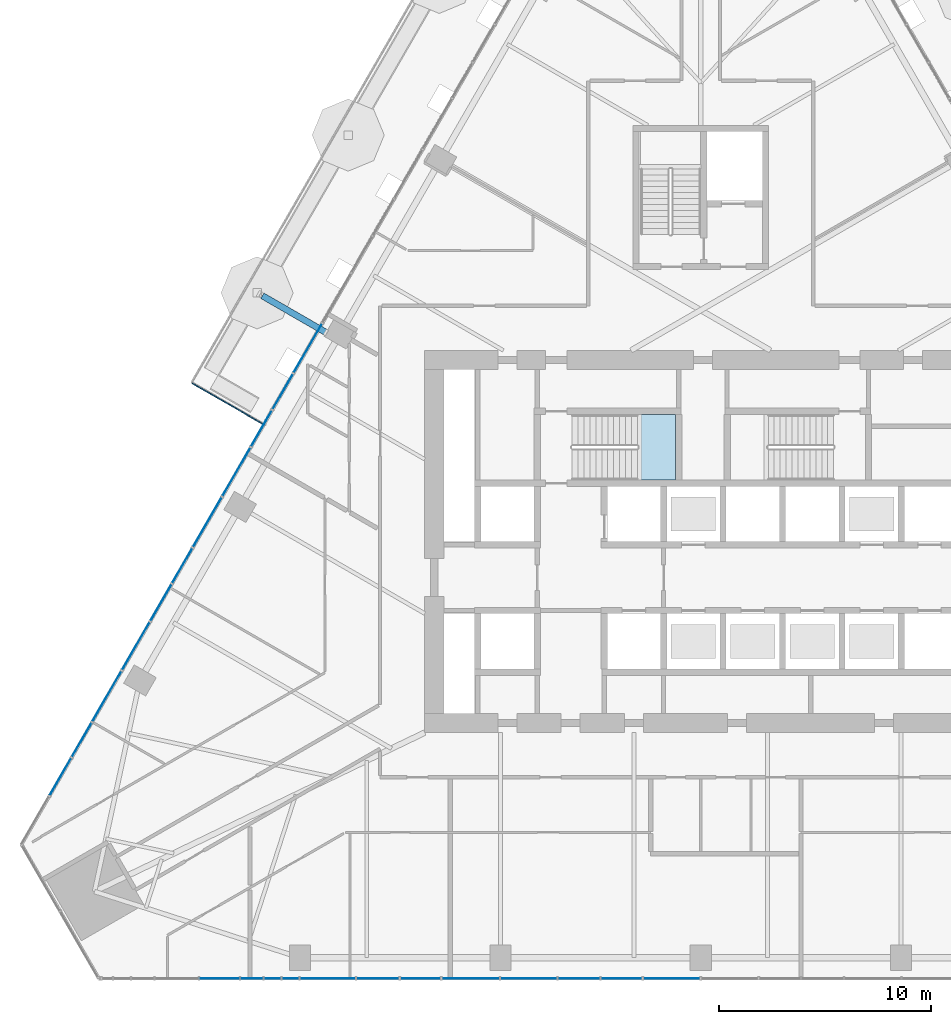
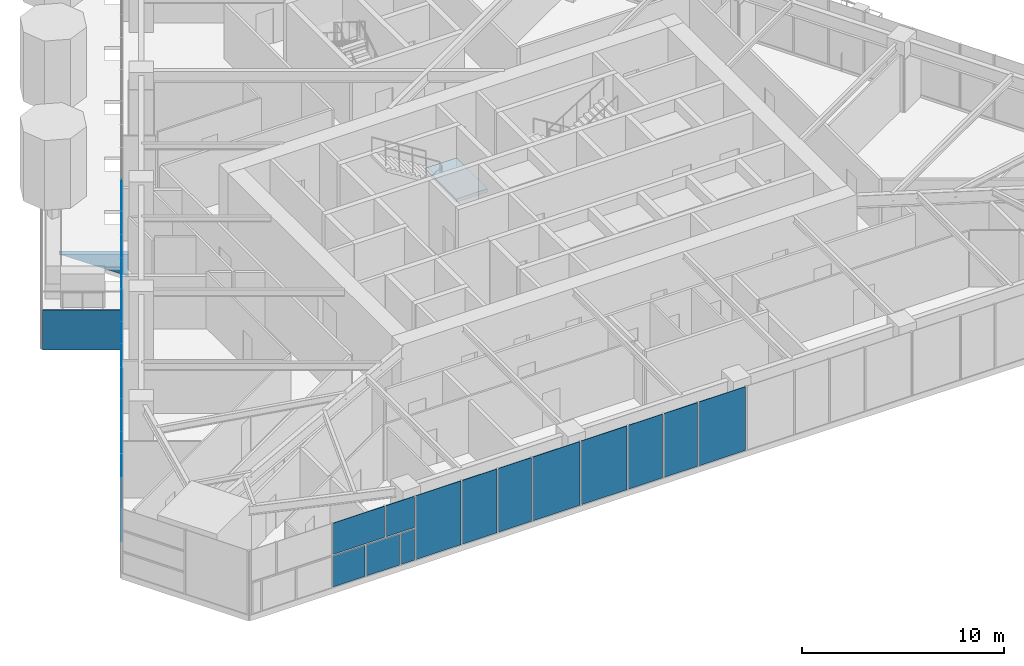
# One storey, part 12 of 25: 26 plates, 1 slab, 3 elements without a shape of their own.
"""IFC4 building model written with IfcOpenShell, lengths in metres."""

from ifc_helpers import new_model, si_unit, direction, frame, origin, place, context, subcontext, project, spatial, polyline, outline, extrude, material, layer, layer_set, type_object, element, aggregate, save


model = new_model("IFC4")

# Units and contexts
model_context = context("Model", 3, precision=1e-05, world=origin(), true_north=direction((0.0, 1.0)))
body_context = subcontext(model_context, "Body", "Model", "MODEL_VIEW")
ifc_project = project(units=[si_unit("LENGTHUNIT", "METRE"), si_unit("AREAUNIT", "SQUARE_METRE"), si_unit("VOLUMEUNIT", "CUBIC_METRE"), si_unit("PLANEANGLEUNIT", "RADIAN"), si_unit("MASSUNIT", "GRAM", prefix="KILO")], contexts=[model_context])

# Site, building, storey
site_placement = place(None, origin())
site = spatial("IfcSite", under=ifc_project, at=site_placement, CompositionType="ELEMENT")
building_placement = place(site_placement, origin())
building = spatial("IfcBuilding", under=site, at=building_placement, Name="Firuza Gate Tower and Library", CompositionType="ELEMENT")
storey_placement = place(building_placement, frame((0.0, 0.0, 86.199951171875)))
storey = spatial("IfcBuildingStorey", under=building, at=storey_placement, Name="L19", CompositionType="ELEMENT", Elevation=86.199951171875)

# Curtain wall, plates
ifc_material_1 = material(Name="Aluminium 6063-T6", Category="aluminium")
ifc_layer_1 = layer(ifc_material_1, 0.14990234375)
ifc_layer_set_1 = layer_set([ifc_layer_1], Name="Unitised curtain wall, offices")
curtain_wall_type = type_object("IfcCurtainWallType", Name="Unitised curtain wall, offices", PredefinedType="NOTDEFINED", material=ifc_layer_set_1)
placement = place(storey_placement, origin())
curtain_wall_1 = element("IfcCurtainWall", 1, at=placement, inside=storey, type_object=curtain_wall_type, Name="CW1 L19 S face", PredefinedType="NOTDEFINED")
ifc_material_2 = material(Name="Fritted glass", Category="glass")
ifc_layer_2 = layer(ifc_material_2, 0.030029296875)
ifc_layer_set_2 = layer_set([ifc_layer_2], Name="Fritted glass unit, offices")
plate_type_1 = type_object("IfcPlateType", Name="Fritted glass unit, offices", PredefinedType="CURTAIN_PANEL", material=ifc_layer_set_2)
plate_1_placement = place(storey_placement, frame((51.41357421875, 54.4091796875, 0.150146484375), z_axis=(0.0, -1.0, 0.0), x_axis=(1.0, 0.0, 0.0)))
plate_1 = element("IfcPlate", 2, at=plate_1_placement, type_object=plate_type_1, Name="Glass unit", PredefinedType="CURTAIN_PANEL", context=body_context, shape_type="SweptSolid", body=[
    extrude(outline(polyline([(0.0, 0.0), (1.84228515625, 0.0), (1.84228515625, 1.885009765625), (0.0, 1.885009765625), (0.0, 0.0)])), origin(), (0.0, 0.0, -1.0), 0.030029296875),
])
plate_2_placement = place(storey_placement, frame((55.2939453125, 54.4091796875, 0.150146484375), z_axis=(0.0, -1.0, 0.0), x_axis=(1.0, 0.0, 0.0)))
plate_2 = element("IfcPlate", 3, at=plate_2_placement, type_object=plate_type_1, Name="Glass unit", PredefinedType="CURTAIN_PANEL", context=body_context, shape_type="SweptSolid", body=[
    extrude(outline(polyline([(0.0, 0.0), (0.764892578125, 0.0), (0.764892578125, 1.885009765625), (0.0, 1.885009765625), (0.0, 0.0)])), origin(), (0.0, 0.0, -1.0), 0.030029296875),
])
plate_3_placement = place(storey_placement, frame((51.41357421875, 54.4091796875, 2.114990234375), z_axis=(0.0, -1.0, 0.0), x_axis=(1.0, 0.0, 0.0)))
plate_3 = element("IfcPlate", 4, at=plate_3_placement, type_object=plate_type_1, Name="Glass unit", PredefinedType="CURTAIN_PANEL", context=body_context, shape_type="SweptSolid", body=[
    extrude(outline(polyline([(0.0, 0.0), (2.95166015625, 0.0), (2.95166015625, 1.885009765625), (0.0, 1.885009765625), (0.0, 0.0)])), origin(), (0.0, 0.0, -1.0), 0.030029296875),
])
plate_4_placement = place(storey_placement, frame((58.802978515625, 54.4091796875, 0.150146484375), z_axis=(0.0, -1.0, 0.0), x_axis=(1.0, 0.0, 0.0)))
plate_4 = element("IfcPlate", 5, at=plate_4_placement, type_object=plate_type_1, Name="Glass unit", PredefinedType="CURTAIN_PANEL", context=body_context, shape_type="SweptSolid", body=[
    extrude(outline(polyline([(0.0, 0.0), (1.981201171875, 0.0), (1.981201171875, 3.849853515625), (0.0, 3.849853515625), (0.0, 0.0)])), origin(), (0.0, 0.0, -1.0), 0.030029296875),
])
plate_5_placement = place(storey_placement, frame((60.8642578125, 54.4091796875, 0.150146484375), z_axis=(0.0, -1.0, 0.0), x_axis=(1.0, 0.0, 0.0)))
plate_5 = element("IfcPlate", 6, at=plate_5_placement, type_object=plate_type_1, Name="Glass unit", PredefinedType="CURTAIN_PANEL", context=body_context, shape_type="SweptSolid", body=[
    extrude(outline(polyline([(0.0, 0.0), (1.876953125, 0.0), (1.876953125, 3.849853515625), (0.0, 3.849853515625), (0.0, 0.0)])), origin(), (0.0, 0.0, -1.0), 0.030029296875),
])
plate_6_placement = place(storey_placement, frame((68.288330078125, 54.4091796875, 0.150146484375), z_axis=(0.0, -1.0, 0.0), x_axis=(1.0, 0.0, 0.0)))
plate_6 = element("IfcPlate", 7, at=plate_6_placement, type_object=plate_type_1, Name="Glass unit", PredefinedType="CURTAIN_PANEL", context=body_context, shape_type="SweptSolid", body=[
    extrude(outline(polyline([(0.0, 0.0), (1.9462890625, 0.0), (1.9462890625, 3.849853515625), (0.0, 3.849853515625), (0.0, 0.0)])), origin(), (0.0, 0.0, -1.0), 0.030029296875),
])
plate_7_placement = place(storey_placement, frame((70.314697265625, 54.4091796875, 0.150146484375), z_axis=(0.0, -1.0, 0.0), x_axis=(1.0, 0.0, 0.0)))
plate_7 = element("IfcPlate", 8, at=plate_7_placement, type_object=plate_type_1, Name="Glass unit", PredefinedType="CURTAIN_PANEL", context=body_context, shape_type="SweptSolid", body=[
    extrude(outline(polyline([(0.0, 0.0), (1.91162109375, 0.0), (1.91162109375, 3.849853515625), (0.0, 3.849853515625), (0.0, 0.0)])), origin(), (0.0, 0.0, -1.0), 0.030029296875),
])

curtain_wall_2 = element("IfcCurtainWall", 9, at=placement, inside=storey, type_object=curtain_wall_type, Name="CW1 L19 W face", PredefinedType="NOTDEFINED")
plate_8_placement = place(storey_placement, frame((55.781005859375, 82.893310546875, 0.150146484375), z_axis=(-0.866026077102, 0.499998833779, 0.0), x_axis=(-0.499998833779, -0.866026077102, 0.0)))
plate_8 = element("IfcPlate", 10, at=plate_8_placement, type_object=plate_type_1, Name="Glass unit", PredefinedType="CURTAIN_PANEL", context=body_context, shape_type="SweptSolid", body=[
    extrude(outline(polyline([(0.0, 0.0), (1.9116255525071724, 0.0), (1.9116255525071724, 3.849853515625001), (0.0, 3.849853515625001), (0.0, 0.0)])), origin(), (0.0, 0.0, -1.0), 0.030029296875),
])
plate_9_placement = place(storey_placement, frame((54.78515625, 81.16845703125, 0.150146484375), z_axis=(-0.866026830048, 0.499997529631, 0.0), x_axis=(-0.499997529631, -0.866026830048, 0.0)))
plate_9 = element("IfcPlate", 11, at=plate_9_placement, type_object=plate_type_1, Name="Glass unit", PredefinedType="CURTAIN_PANEL", context=body_context, shape_type="SweptSolid", body=[
    extrude(outline(polyline([(0.0, 0.0), (1.9462986786523924, 0.0), (1.9462986786523924, 3.849853515625), (0.0, 3.849853515625), (0.0, 0.0)])), origin(), (0.0, 0.0, -1.0), 0.030029296875),
])
plate_10_placement = place(storey_placement, frame((51.038330078125, 74.678955078125, 0.150146484375), z_axis=(-0.866025296335, 0.500000186108, 0.0), x_axis=(-0.500000186108, -0.866025296335, 0.0)))
plate_10 = element("IfcPlate", 12, at=plate_10_placement, type_object=plate_type_1, Name="Glass unit", PredefinedType="CURTAIN_PANEL", context=body_context, shape_type="SweptSolid", body=[
    extrude(outline(polyline([(0.0, 0.0), (1.8769524263664479, 0.0), (1.8769524263664479, 3.849853515625), (0.0, 3.849853515625), (0.0, 0.0)])), origin(), (0.0, 0.0, -1.0), 0.030029296875),
])
plate_11_placement = place(storey_placement, frame((50.059814453125, 72.984130859375, 0.150146484375), z_axis=(-0.866058361958, 0.499942910424, 0.0), x_axis=(-0.499942910424, -0.866058361958, 0.0)))
plate_11 = element("IfcPlate", 13, at=plate_11_placement, type_object=plate_type_1, Name="Glass unit", PredefinedType="CURTAIN_PANEL", context=body_context, shape_type="SweptSolid", body=[
    extrude(outline(polyline([(0.0, 0.0), (1.9811832410714314, 0.0), (1.9811832410714314, 3.849853515625), (0.0, 3.849853515625), (0.0, 0.0)])), origin(), (0.0, 0.0, -1.0), 0.030029296875),
])
plate_12_placement = place(storey_placement, frame((46.295654296875, 66.46435546875, 0.150146484375), z_axis=(-0.866024486176, 0.500001589341, 0.0), x_axis=(-0.500001589341, -0.866024486176, 0.0)))
plate_12 = element("IfcPlate", 14, at=plate_12_placement, type_object=plate_type_1, Name="Glass unit", PredefinedType="CURTAIN_PANEL", context=body_context, shape_type="SweptSolid", body=[
    extrude(outline(polyline([(0.0, 0.0), (1.8422793002304725, 0.0), (1.8422793002304725, 3.849853515625001), (0.0, 3.849853515625001), (0.0, 0.0)])), origin(), (0.0, 0.0, -1.0), 0.030029296875),
])
plate_13_placement = place(storey_placement, frame((45.334716796875, 64.799560546875, 0.150146484375), z_axis=(-0.865975809255, 0.500085890408, 0.0), x_axis=(-0.500085890408, -0.865975809255, 0.0)))
plate_13 = element("IfcPlate", 15, at=plate_13_placement, type_object=plate_type_1, Name="Glass unit", PredefinedType="CURTAIN_PANEL", context=body_context, shape_type="SweptSolid", body=[
    extrude(outline(polyline([(0.0, 0.0), (2.0157670111493706, 0.0), (2.0157670111493706, 3.849853515625), (0.0, 3.849853515625), (0.0, 0.0)])), origin(), (0.0, 0.0, -1.0), 0.030029296875),
])

# Plate
ifc_material_3 = material(Name="Glazed ceramic tile")
ifc_layer_3 = layer(ifc_material_3, 0.030029296875)
ifc_layer_set_3 = layer_set([ifc_layer_3], Name="Opaque ceramic panel, offices")
plate_type_2 = type_object("IfcPlateType", Name="Opaque ceramic panel, offices", PredefinedType="CURTAIN_PANEL", material=ifc_layer_set_3)
plate_14_placement = place(storey_placement, frame((53.3359375, 54.4091796875, 0.150146484375), z_axis=(0.0, -1.0, 0.0), x_axis=(1.0, 0.0, 0.0)))
plate_14 = element("IfcPlate", 16, at=plate_14_placement, type_object=plate_type_2, Name="Opaque ceramic panel", PredefinedType="CURTAIN_PANEL", context=body_context, shape_type="SweptSolid", body=[
    extrude(outline(polyline([(0.0, 0.0), (1.8779296875, 0.0), (1.8779296875, 1.885009765625), (0.0, 1.885009765625), (0.0, 0.0)])), origin(), (0.0, 0.0, -1.0), 0.030029296875),
])

plate_15_placement = place(storey_placement, frame((54.4453125, 54.4091796875, 2.114990234375), z_axis=(0.0, -1.0, 0.0), x_axis=(1.0, 0.0, 0.0)))
plate_15 = element("IfcPlate", 17, at=plate_15_placement, type_object=plate_type_2, Name="Opaque ceramic panel", PredefinedType="CURTAIN_PANEL", context=body_context, shape_type="SweptSolid", body=[
    extrude(outline(polyline([(0.0, 0.0), (1.613525390625, 0.0), (1.613525390625, 1.885009765625), (0.0, 1.885009765625), (0.0, 0.0)])), origin(), (0.0, 0.0, -1.0), 0.030029296875),
])

plate_16_placement = place(storey_placement, frame((56.138916015625, 54.4091796875, 0.150146484375), z_axis=(0.0, -1.0, 0.0), x_axis=(1.0, 0.0, 0.0)))
plate_16 = element("IfcPlate", 18, at=plate_16_placement, type_object=plate_type_2, Name="Opaque ceramic panel", PredefinedType="CURTAIN_PANEL", context=body_context, shape_type="SweptSolid", body=[
    extrude(outline(polyline([(0.0, 0.0), (2.583984375, 0.0), (2.583984375, 3.849853515625), (0.0, 3.849853515625), (0.0, 0.0)])), origin(), (0.0, 0.0, -1.0), 0.030029296875),
])

plate_17_placement = place(storey_placement, frame((62.821044921875, 54.4091796875, 0.150146484375), z_axis=(0.0, -1.0, 0.0), x_axis=(1.0, 0.0, 0.0)))
plate_17 = element("IfcPlate", 19, at=plate_17_placement, type_object=plate_type_2, Name="Opaque ceramic panel", PredefinedType="CURTAIN_PANEL", context=body_context, shape_type="SweptSolid", body=[
    extrude(outline(polyline([(0.0, 0.0), (2.6884765625, 0.0), (2.6884765625, 3.849853515625), (0.0, 3.849853515625), (0.0, 0.0)])), origin(), (0.0, 0.0, -1.0), 0.030029296875),
])

plate_18_placement = place(storey_placement, frame((65.58935546875, 54.4091796875, 0.150146484375), z_axis=(0.0, -1.0, 0.0), x_axis=(1.0, 0.0, 0.0)))
plate_18 = element("IfcPlate", 20, at=plate_18_placement, type_object=plate_type_2, Name="Opaque ceramic panel", PredefinedType="CURTAIN_PANEL", context=body_context, shape_type="SweptSolid", body=[
    extrude(outline(polyline([(0.0, 0.0), (2.618896484375, 0.0), (2.618896484375, 3.849853515625), (0.0, 3.849853515625), (0.0, 0.0)])), origin(), (0.0, 0.0, -1.0), 0.030029296875),
])

plate_19_placement = place(storey_placement, frame((72.306396484375, 54.4091796875, 0.150146484375), z_axis=(0.0, -1.0, 0.0), x_axis=(1.0, 0.0, 0.0)))
plate_19 = element("IfcPlate", 21, at=plate_19_placement, type_object=plate_type_2, Name="Opaque ceramic panel", PredefinedType="CURTAIN_PANEL", context=body_context, shape_type="SweptSolid", body=[
    extrude(outline(polyline([(0.0, 0.0), (2.653564453125, 0.0), (2.653564453125, 3.849853515625), (0.0, 3.849853515625), (0.0, 0.0)])), origin(), (0.0, 0.0, -1.0), 0.030029296875),
])

aggregate(curtain_wall_1, [plate_1, plate_14, plate_2, plate_3, plate_15, plate_16, plate_4, plate_5, plate_17, plate_18, plate_6, plate_7, plate_19])

plate_20_placement = place(storey_placement, frame((57.14794921875, 85.2607421875, 0.150146484375), z_axis=(-0.866009391893, 0.500027732385, 0.0), x_axis=(-0.500027732385, -0.866009391893, 0.0)))
plate_20 = element("IfcPlate", 22, at=plate_20_placement, type_object=plate_type_2, Name="Opaque ceramic panel", PredefinedType="CURTAIN_PANEL", context=body_context, shape_type="SweptSolid", body=[
    extrude(outline(polyline([(0.0, 0.0), (2.653661409032231, 0.0), (2.653661409032231, 3.849853515625), (0.0, 3.849853515625), (0.0, 0.0)])), origin(), (0.0, 0.0, -1.0), 0.030029296875),
])

plate_21_placement = place(storey_placement, frame((53.77197265625, 79.41357421875, 0.150146484375), z_axis=(-0.86604897723, 0.499959167372, 0.0), x_axis=(-0.499959167372, -0.86604897723, 0.0)))
plate_21 = element("IfcPlate", 23, at=plate_21_placement, type_object=plate_type_2, Name="Opaque ceramic panel", PredefinedType="CURTAIN_PANEL", context=body_context, shape_type="SweptSolid", body=[
    extrude(outline(polyline([(0.0, 0.0), (2.618866214130961, 0.0), (2.618866214130961, 3.849853515625), (0.0, 3.849853515625), (0.0, 0.0)])), origin(), (0.0, 0.0, -1.0), 0.030029296875),
])

plate_22_placement = place(storey_placement, frame((52.422607421875, 77.076416015625, 0.150146484375), z_axis=(-0.866010152247, 0.500026415507, 0.0), x_axis=(-0.500026415507, -0.866010152247, 0.0)))
plate_22 = element("IfcPlate", 24, at=plate_22_placement, type_object=plate_type_2, Name="Opaque ceramic panel", PredefinedType="CURTAIN_PANEL", context=body_context, shape_type="SweptSolid", body=[
    extrude(outline(polyline([(0.0, 0.0), (2.688334535061244, 0.0), (2.688334535061244, 3.849853515625), (0.0, 3.849853515625), (0.0, 0.0)])), origin(), (0.0, 0.0, -1.0), 0.030029296875),
])

plate_23_placement = place(storey_placement, frame((49.029296875, 71.198974609375, 0.150146484375), z_axis=(-0.866025099701, 0.500000526688, 0.0), x_axis=(-0.500000526688, -0.866025099701, 0.0)))
plate_23 = element("IfcPlate", 25, at=plate_23_placement, type_object=plate_type_2, Name="Opaque ceramic panel", PredefinedType="CURTAIN_PANEL", context=body_context, shape_type="SweptSolid", body=[
    extrude(outline(polyline([(0.0, 0.0), (2.5839816530981743, 0.0), (2.5839816530981743, 3.849853515625), (0.0, 3.849853515625), (0.0, 0.0)])), origin(), (0.0, 0.0, -1.0), 0.030029296875),
])

plate_24_placement = place(storey_placement, frame((47.697265625, 68.891845703125, 0.150146484375), z_axis=(-0.866010893236, 0.500025132165, 0.0), x_axis=(-0.500025132165, -0.866010893236, 0.0)))
plate_24 = element("IfcPlate", 26, at=plate_24_placement, type_object=plate_type_2, Name="Opaque ceramic panel", PredefinedType="CURTAIN_PANEL", context=body_context, shape_type="SweptSolid", body=[
    extrude(outline(polyline([(0.0, 0.0), (2.7230076610963145, 0.0), (2.7230076610963145, 3.849853515625), (0.0, 3.849853515625), (0.0, 0.0)])), origin(), (0.0, 0.0, -1.0), 0.030029296875),
])

aggregate(curtain_wall_2, [plate_20, plate_8, plate_9, plate_21, plate_22, plate_10, plate_11, plate_23, plate_24, plate_12, plate_13])

# Stair, slab
ifc_material_4 = material(Name="Concrete C35/45", Category="concrete")
stair_type = type_object("IfcStairType", Name="Exit stair ST5", PredefinedType="HALF_TURN_STAIR", material=ifc_material_4)
stair = element("IfcStair", 27, at=placement, inside=storey, type_object=stair_type, Name="L19 Stair ST1", PredefinedType="HALF_TURN_STAIR")
ifc_material_5 = material(Name="Concrete C35/45", Category="concrete")
ifc_layer_4 = layer(ifc_material_5, 0.199951171875)
ifc_layer_set_4 = layer_set([ifc_layer_4], Name="Stair landing 200")
slab_type = type_object("IfcSlabType", Name="Stair landing 200", PredefinedType="LANDING", material=ifc_layer_set_4)
slab_placement = place(storey_placement, frame((0.0, 0.0, 1.900146484375)))
slab = element("IfcSlab", 28, at=slab_placement, type_object=slab_type, Name="ST1 landing 1", PredefinedType="LANDING", context=body_context, shape_type="SweptSolid", body=[
    extrude(outline(polyline([(72.02001953125, 77.89990234375), (73.81005859375, 77.89990234375), (73.81005859375, 80.97998046875), (72.02001953125, 80.97998046875), (72.02001953125, 77.89990234375)])), origin(), (0.0, 0.0, 1.0), 0.199951171875),
])
aggregate(stair, [slab])

# Plates
ifc_material_6 = material(Name="Steel S355", Category="steel")
ifc_layer_5 = layer(ifc_material_6, 0.300048828125)
ifc_layer_set_5 = layer_set([ifc_layer_5], Name="Tray bracket web 300 Steel S355")
plate_type_3 = type_object("IfcPlateType", Name="Tray bracket web 300 Steel S355", PredefinedType="SHEET", material=ifc_layer_set_5)
plate_25_placement = place(storey_placement, frame((57.25, 84.72802734375, -0.199951171875), z_axis=(-0.500081895979, -0.865978115955, 0.0), x_axis=(-0.865978115955, 0.500081895979, 0.0)))
element("IfcPlate", 29, at=plate_25_placement, inside=storey, type_object=plate_type_3, Name="Tray bracket web L19 col:L18:W3", PredefinedType="SHEET", context=body_context, shape_type="SweptSolid", body=[
    extrude(outline(polyline([(0.0, 0.0), (3.429614038049955, 0.0), (0.0, 1.333984375), (0.0, 0.0)])), origin(), (0.0, 0.0, -1.0), 0.300048828125),
])
ifc_material_7 = material(Name="Aluminium 6063-T6", Category="aluminium")
ifc_layer_6 = layer(ifc_material_7, 0.050048828125)
ifc_layer_set_6 = layer_set([ifc_layer_6], Name="Tray fascia panel 50")
plate_type_4 = type_object("IfcPlateType", Name="Tray fascia panel 50", PredefinedType="SHEET", material=ifc_layer_set_6)
plate_26_placement = place(storey_placement, frame((51.035888671875, 82.43505859375, -2.39990234375), z_axis=(-0.49999779889, -0.866026674592, 0.0), x_axis=(0.866026674592, -0.49999779889, 0.0)))
element("IfcPlate", 30, at=plate_26_placement, inside=storey, type_object=plate_type_4, Name="Tray fascia L19 4", PredefinedType="SHEET", context=body_context, shape_type="SweptSolid", body=[
    extrude(outline(polyline([(0.0, 0.0), (3.9399587508162695, 0.0), (3.9399587508162695, 2.39990234375), (0.0, 2.39990234375), (0.0, 0.0)])), origin(), (0.0, 0.0, -1.0), 0.050048828125),
])

save(model, "model.ifc")
